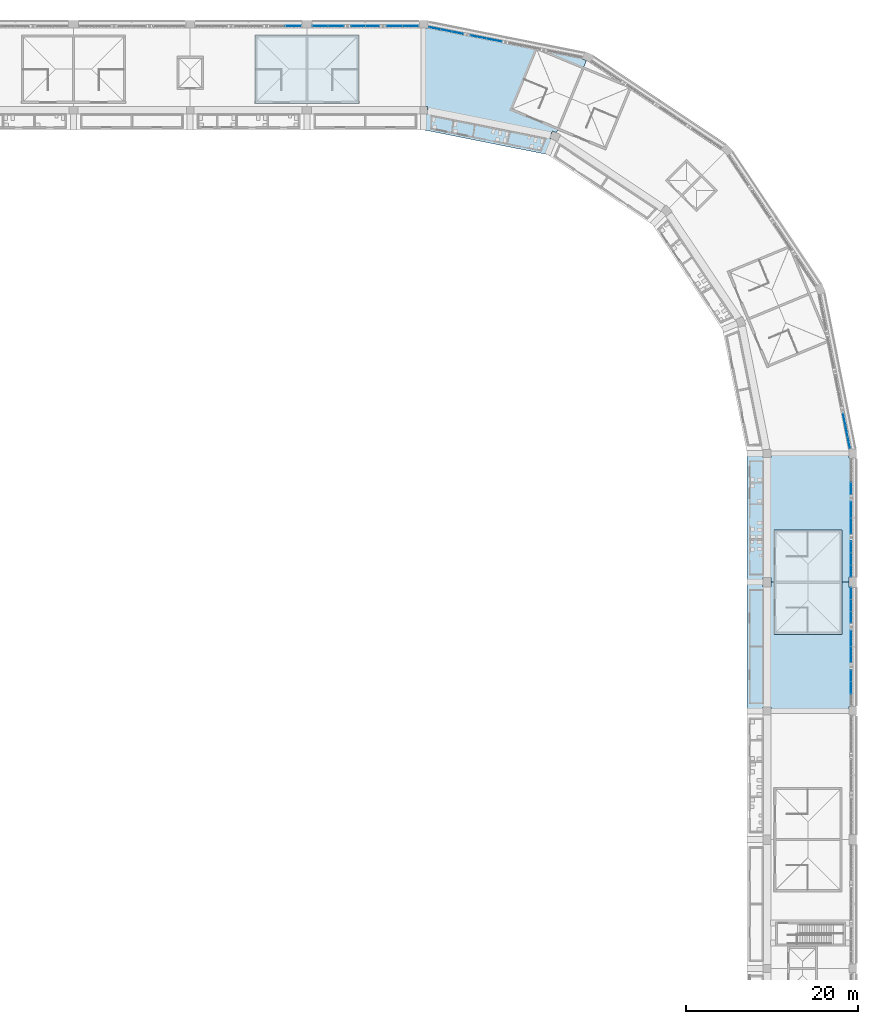
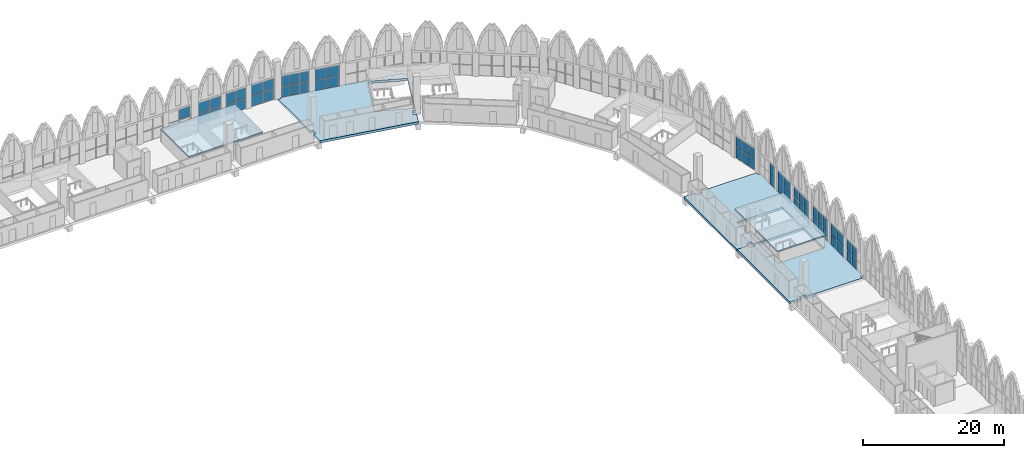
# One storey, part 60 of 130: 55 plates, 5 slabs, 13 elements without a shape of their own.
"""IFC4 building model written with IfcOpenShell, lengths in metres."""

import ifcopenshell
import ifcopenshell.guid

model = None  # the IFC model being written
_history = None  # IfcOwnerHistory: only IFC2X3 demands one
_inside = {}  # id of a spatial element -> (the spatial element, [elements in it])
_under = {}  # id of a project, library or spatial element -> (it, [spatial elements below it])
_declared = {}  # id of a project -> (the project, [libraries it declares])
_typed = {}  # id of a type object -> (the type object, [elements of that type])
_made_of = {}  # id of a material, layer set ... -> (it, [elements and type objects made of it])


def new_model(schema):
    """Start an empty IFC model of exactly this schema.

    Asked for "IFC4X3", IfcOpenShell would pick the latest addendum, in which some entities
    have other attributes; the version numbers below select the first issue.
    IFC2X3 requires an IfcOwnerHistory on every rooted entity: one is made here for all.
    """
    global model, _history
    if schema == "IFC4X3":
        model = ifcopenshell.file(schema_version=(4, 3, 0, 0))
    else:
        model = ifcopenshell.file(schema=schema)
    _inside.clear()
    _under.clear()
    _declared.clear()
    _typed.clear()
    _made_of.clear()
    _history = None
    if model.schema == "IFC2X3":
        org = make("IfcOrganization", Name="unknown")
        user = make(
            "IfcPersonAndOrganization",
            ThePerson=make("IfcPerson", FamilyName="unknown"),
            TheOrganization=org,
        )
        app = make(
            "IfcApplication",
            ApplicationDeveloper=org,
            Version="unknown",
            ApplicationFullName="unknown",
            ApplicationIdentifier="unknown",
        )
        _history = make(
            "IfcOwnerHistory",
            OwningUser=user,
            OwningApplication=app,
            ChangeAction="ADDED",
            CreationDate=0,
        )
    return model


def make(cls, **values):
    """One entity of the class cls with the attributes given. An attribute that is None is left unset."""
    return model.create_entity(
        cls, **{name: value for name, value in values.items() if value is not None}
    )


def rooted(cls, **values):
    """An entity with a GlobalId (a new one), such as an element, a storey or a relation."""
    return make(cls, GlobalId=ifcopenshell.guid.new(), OwnerHistory=_history, **values)


def si_unit(unit_type, name, prefix=None):
    """IfcSIUnit, for example si_unit("LENGTHUNIT", "METRE", prefix="MILLI")."""
    return make("IfcSIUnit", UnitType=unit_type, Prefix=prefix, Name=name)


def assignment(units):
    """IfcUnitAssignment: the units of a project."""
    return None if units is None else make("IfcUnitAssignment", Units=units)


def point(xyz):
    """IfcCartesianPoint."""
    return None if xyz is None else make("IfcCartesianPoint", Coordinates=xyz)


def direction(xyz):
    """IfcDirection."""
    return None if xyz is None else make("IfcDirection", DirectionRatios=xyz)


def frame(location, z_axis=None, x_axis=None):
    """IfcAxis2Placement3D, a coordinate frame: its origin and axes. An axis left out is left unset."""
    return make(
        "IfcAxis2Placement3D",
        Location=point(location),
        Axis=direction(z_axis),
        RefDirection=direction(x_axis),
    )


def frame_2d(location, x_axis=None):
    """IfcAxis2Placement2D, a coordinate frame in the plane: its origin and x axis."""
    return make(
        "IfcAxis2Placement2D", Location=point(location), RefDirection=direction(x_axis)
    )


def origin():
    """The frame at (0, 0, 0) with its axes left unset."""
    return frame((0.0, 0.0, 0.0))


def origin_2d():
    """The frame at (0, 0) in the plane with its x axis left unset."""
    return frame_2d((0.0, 0.0))


def place(relative_to, where):
    """IfcLocalPlacement: puts the frame where relative to a parent placement (None: the world)."""
    return make(
        "IfcLocalPlacement", PlacementRelTo=relative_to, RelativePlacement=where
    )


def context(
    kind, dimensions, precision=None, world=None, true_north=None, identifier=None
):
    """IfcGeometricRepresentationContext, for example the 3D "Model" context."""
    return make(
        "IfcGeometricRepresentationContext",
        ContextIdentifier=identifier,
        ContextType=kind,
        CoordinateSpaceDimension=dimensions,
        Precision=precision,
        WorldCoordinateSystem=world,
        TrueNorth=true_north,
    )


def subcontext(parent, identifier, kind, view, scale=None):
    """IfcGeometricRepresentationSubContext, for example "Body" below "Model"."""
    return make(
        "IfcGeometricRepresentationSubContext",
        ContextIdentifier=identifier,
        ContextType=kind,
        ParentContext=parent,
        TargetScale=scale,
        TargetView=view,
    )


def project(units=None, contexts=None):
    """IfcProject with its units and contexts."""
    return rooted(
        "IfcProject",
        Name="project",
        RepresentationContexts=contexts,
        UnitsInContext=assignment(units),
    )


def spatial(cls, under=None, at=None, **own):
    """A site, building, storey or space (cls), placed at a placement, below another one or the project."""
    s = rooted(cls, ObjectPlacement=at, **own)
    if under is not None:
        _under.setdefault(under.id(), (under, []))[1].append(s)
    return s


def polyline(points):
    """IfcPolyline through the points."""
    return make("IfcPolyline", Points=[point(p) for p in points])


def profile(cls, at=None, kind="AREA", **sizes):
    """A parametric profile (cls). Its sizes go by their IFC names, for example OverallWidth=200.0."""
    return make(cls, ProfileType=kind, Position=at, **sizes)


def rectangle(**sizes):
    """IfcRectangleProfileDef."""
    return profile("IfcRectangleProfileDef", **sizes)


def outline(outer, holes=None, kind="AREA"):
    """IfcArbitraryClosedProfileDef: a profile drawn as a closed curve; with holes, ...WithVoids."""
    if holes is None:
        return make("IfcArbitraryClosedProfileDef", ProfileType=kind, OuterCurve=outer)
    return make(
        "IfcArbitraryProfileDefWithVoids",
        ProfileType=kind,
        OuterCurve=outer,
        InnerCurves=holes,
    )


def extrude(swept, where, along, depth):
    """IfcExtrudedAreaSolid: the profile swept, set in the frame where, extruded along a direction by depth."""
    return make(
        "IfcExtrudedAreaSolid",
        SweptArea=swept,
        Position=where,
        ExtrudedDirection=direction(along),
        Depth=depth,
    )


def shape(context_of_items, identifier, shape_type, items):
    """IfcShapeRepresentation: the items that make up one representation, for example the "Body"."""
    return make(
        "IfcShapeRepresentation",
        ContextOfItems=context_of_items,
        RepresentationIdentifier=identifier,
        RepresentationType=shape_type,
        Items=items,
    )


def material(Name=None, Category=None):
    """IfcMaterial."""
    return make("IfcMaterial", Name=Name, Category=Category)


def layer(
    of_material, thickness, ventilated=None, Name=None, Category=None, Priority=None
):
    """IfcMaterialLayer: one layer of a wall or slab, of a material (None: an air gap)."""
    return make(
        "IfcMaterialLayer",
        Material=of_material,
        LayerThickness=thickness,
        IsVentilated=ventilated,
        Name=Name,
        Category=Category,
        Priority=Priority,
    )


def layer_set(layers, Name=None):
    """IfcMaterialLayerSet."""
    return make("IfcMaterialLayerSet", MaterialLayers=layers, LayerSetName=Name)


def made_of(thing, what):
    """Note that an element or type object is made of a material, layer set ...; save() writes the relation."""
    if what is not None:
        _made_of.setdefault(what.id(), (what, []))[1].append(thing)
    return thing


def type_object(cls, material=None, **own):
    """A type object (cls), such as IfcWallType, which elements share."""
    return made_of(rooted(cls, **own), material)


def element(
    cls,
    number,
    at=None,
    inside=None,
    cuts=None,
    type_object=None,
    material=None,
    context=None,
    identifier="Body",
    shape_type=None,
    held_by="IfcProductDefinitionShape",
    body=None,
    shapes=None,
    **own,
):
    """One element of the class cls, such as IfcWall. Its Tag is "e" and its number.

    at: its placement. inside: the storey or other place that contains it. cuts: it is an
    opening in that element (IfcRelVoidsElement). A single representation is given by context,
    identifier, shape_type and body (its items); several are given by shapes. held_by: the class
    of the entity that holds the representations. save() writes the other relations.
    """
    e = rooted(cls, Tag="e%d" % number, ObjectPlacement=at, **own)
    if body is not None:
        shapes = [shape(context, identifier, shape_type, body)]
    if shapes is not None:
        e.Representation = make(held_by, Representations=shapes)
    if inside is not None:
        _inside.setdefault(inside.id(), (inside, []))[1].append(e)
    if cuts is not None:
        rooted(
            "IfcRelVoidsElement", RelatingBuildingElement=cuts, RelatedOpeningElement=e
        )
    if type_object is not None:
        _typed.setdefault(type_object.id(), (type_object, []))[1].append(e)
    return made_of(e, material)


def aggregate(whole, parts):
    """IfcRelAggregates: a whole, such as a stair, and the parts it consists of."""
    return rooted("IfcRelAggregates", RelatingObject=whole, RelatedObjects=parts)


def save(model, path):
    """Write the relations noted so far, then the file.

    IfcRelAggregates (storeys below a building ...), IfcRelContainedInSpatialStructure (elements
    in a storey), IfcRelDefinesByType, IfcRelAssociatesMaterial and IfcRelDeclares: one each for
    every whole, place, type object, material and project.
    """
    for whole, parts in _under.values():
        aggregate(whole, parts)
    for where, things in _inside.values():
        rooted(
            "IfcRelContainedInSpatialStructure",
            RelatedElements=things,
            RelatingStructure=where,
        )
    for kind, things in _typed.values():
        rooted("IfcRelDefinesByType", RelatedObjects=things, RelatingType=kind)
    for what, things in _made_of.values():
        rooted("IfcRelAssociatesMaterial", RelatedObjects=things, RelatingMaterial=what)
    for by, libraries in _declared.values():
        rooted("IfcRelDeclares", RelatingContext=by, RelatedDefinitions=libraries)
    model.write(path)


model = new_model("IFC4")

# Units and contexts
model_context = context("Model", 3, precision=1e-05, world=origin(), true_north=direction((0.0, 1.0)))
body_context = subcontext(model_context, "Body", "Model", "MODEL_VIEW")
ifc_project = project(units=[si_unit("LENGTHUNIT", "METRE"), si_unit("AREAUNIT", "SQUARE_METRE"), si_unit("VOLUMEUNIT", "CUBIC_METRE"), si_unit("PLANEANGLEUNIT", "RADIAN"), si_unit("MASSUNIT", "GRAM", prefix="KILO")], contexts=[model_context])

# Site, building, storey
site_placement = place(None, origin())
site = spatial("IfcSite", under=ifc_project, at=site_placement, CompositionType="ELEMENT")
building_placement = place(site_placement, origin())
building = spatial("IfcBuilding", under=site, at=building_placement, Name="Ogive Plaza Stadium", CompositionType="ELEMENT")
storey_placement = place(building_placement, frame((0.0, 0.0, 22.5)))
storey = spatial("IfcBuildingStorey", under=building, at=storey_placement, Name="L05", CompositionType="ELEMENT", Elevation=22.5)

# Slabs
ifc_material_1 = material(Name="Concrete C40/50", Category="concrete")
ifc_layer_1 = layer(ifc_material_1, 0.199951171875)
ifc_layer_set_1 = layer_set([ifc_layer_1], Name="Concrete C40/50")
slab_type_1 = type_object("IfcSlabType", Name="Core roof slab", PredefinedType="ROOF", material=ifc_layer_set_1)
slab_1_placement = place(storey_placement, frame((0.0, 0.0, 2.10009765625)))
element("IfcSlab", 1, at=slab_1_placement, inside=storey, type_object=slab_type_1, Name="Stair core R02 roof", PredefinedType="ROOF", context=body_context, shape_type="SweptSolid", body=[
    extrude(outline(polyline([(74.800048828125, 31.425048828125), (82.760009765625, 31.425048828125), (82.760009765625, 43.574951171875), (74.800048828125, 43.574951171875), (74.800048828125, 31.425048828125)])), origin(), (0.0, 0.0, 1.0), 0.199951171875),
])
slab_2_placement = place(storey_placement, frame((0.0, 0.0, 2.10009765625)))
element("IfcSlab", 2, at=slab_2_placement, inside=storey, type_object=slab_type_1, Name="Stair core R36 roof", PredefinedType="ROOF", context=body_context, shape_type="SweptSolid", body=[
    extrude(outline(polyline([(26.47509765625, 93.300048828125), (26.47509765625, 101.260009765625), (14.324951171875, 101.260009765625), (14.324951171875, 93.300048828125), (26.47509765625, 93.300048828125)])), origin(), (0.0, 0.0, 1.0), 0.199951171875),
])

# Curtain wall, plates
ifc_material_2 = material(Name="Bronze-anodised aluminium with laminated glass", Category="aluminium")
curtain_wall_type = type_object("IfcCurtainWallType", Name="Lancet curtain wall", PredefinedType="NOTDEFINED", material=ifc_material_2)
curtain_wall_1_placement = place(storey_placement, origin())
curtain_wall_1 = element("IfcCurtainWall", 3, at=curtain_wall_1_placement, inside=storey, type_object=curtain_wall_type, Name="CURTAIN WALL B01 L05", PredefinedType="NOTDEFINED")
ifc_material_3 = material(Name="Laminated glass", Category="glass")
ifc_layer_2 = layer(ifc_material_3, 0.028076171875)
ifc_layer_set_2 = layer_set([ifc_layer_2], Name="Laminated glass panel 28")
plate_type = type_object("IfcPlateType", Name="Laminated glass panel 28", PredefinedType="CURTAIN_PANEL", material=ifc_layer_set_2)
plate_1_placement = place(storey_placement, frame((83.800048828125, 48.41259765625, 0.0498046875), z_axis=(0.0, 0.0, 1.0), x_axis=(0.0, -1.0, 0.0)))
plate_1 = element("IfcPlate", 4, at=plate_1_placement, type_object=plate_type, Name="CW-B01-L05.1 panel 3.1", PredefinedType="CURTAIN_PANEL", context=body_context, shape_type="SweptSolid", body=[
    extrude(rectangle(XDim=1.324951171875, YDim=0.028076171875, at=origin_2d()), origin(), (0.0, 0.0, 1.0), 1.824951171875),
])
plate_2_placement = place(storey_placement, frame((83.800048828125, 48.41259765625, 1.9248046875), z_axis=(0.0, 0.0, 1.0), x_axis=(0.0, -1.0, 0.0)))
plate_2 = element("IfcPlate", 5, at=plate_2_placement, type_object=plate_type, Name="CW-B01-L05.1 panel 3.2", PredefinedType="CURTAIN_PANEL", context=body_context, shape_type="SweptSolid", body=[
    extrude(rectangle(XDim=1.324951171875, YDim=0.028076171875, at=origin_2d()), origin(), (0.0, 0.0, 1.0), 1.824951171875),
])
aggregate(curtain_wall_1, [plate_1, plate_2])

curtain_wall_2_placement = place(storey_placement, origin())
curtain_wall_2 = element("IfcCurtainWall", 6, at=curtain_wall_2_placement, inside=storey, type_object=curtain_wall_type, Name="CURTAIN WALL B01 L05", PredefinedType="NOTDEFINED")
plate_3_placement = place(storey_placement, frame((83.800048828125, 45.9375, 0.0498046875), z_axis=(0.0, 0.0, 1.0), x_axis=(0.0, -1.0, 0.0)))
plate_3 = element("IfcPlate", 7, at=plate_3_placement, type_object=plate_type, Name="CW-B01-L05.2 panel 1.1", PredefinedType="CURTAIN_PANEL", context=body_context, shape_type="SweptSolid", body=[
    extrude(rectangle(XDim=1.824951171875, YDim=0.028076171875, at=origin_2d()), origin(), (0.0, 0.0, 1.0), 1.824951171875),
])
plate_4_placement = place(storey_placement, frame((83.800048828125, 45.9375, 1.9248046875), z_axis=(0.0, 0.0, 1.0), x_axis=(0.0, -1.0, 0.0)))
plate_4 = element("IfcPlate", 8, at=plate_4_placement, type_object=plate_type, Name="CW-B01-L05.2 panel 1.2", PredefinedType="CURTAIN_PANEL", context=body_context, shape_type="SweptSolid", body=[
    extrude(rectangle(XDim=1.824951171875, YDim=0.028076171875, at=origin_2d()), origin(), (0.0, 0.0, 1.0), 1.824951171875),
])
plate_5_placement = place(storey_placement, frame((83.800048828125, 44.0625, 0.0498046875), z_axis=(0.0, 0.0, 1.0), x_axis=(0.0, -1.0, 0.0)))
plate_5 = element("IfcPlate", 9, at=plate_5_placement, type_object=plate_type, Name="CW-B01-L05.2 panel 2.1", PredefinedType="CURTAIN_PANEL", context=body_context, shape_type="SweptSolid", body=[
    extrude(rectangle(XDim=1.824951171875, YDim=0.028076171875, at=origin_2d()), origin(), (0.0, 0.0, 1.0), 1.824951171875),
])
plate_6_placement = place(storey_placement, frame((83.800048828125, 44.0625, 1.9248046875), z_axis=(0.0, 0.0, 1.0), x_axis=(0.0, -1.0, 0.0)))
plate_6 = element("IfcPlate", 10, at=plate_6_placement, type_object=plate_type, Name="CW-B01-L05.2 panel 2.2", PredefinedType="CURTAIN_PANEL", context=body_context, shape_type="SweptSolid", body=[
    extrude(rectangle(XDim=1.824951171875, YDim=0.028076171875, at=origin_2d()), origin(), (0.0, 0.0, 1.0), 1.824951171875),
])
aggregate(curtain_wall_2, [plate_3, plate_4, plate_5, plate_6])

curtain_wall_3_placement = place(storey_placement, origin())
curtain_wall_3 = element("IfcCurtainWall", 11, at=curtain_wall_3_placement, inside=storey, type_object=curtain_wall_type, Name="CURTAIN WALL B01 L05", PredefinedType="NOTDEFINED")
plate_7_placement = place(storey_placement, frame((83.800048828125, 41.58740234375, 0.0498046875), z_axis=(0.0, 0.0, 1.0), x_axis=(0.0, -1.0, 0.0)))
plate_7 = element("IfcPlate", 12, at=plate_7_placement, type_object=plate_type, Name="CW-B01-L05.3 panel 1.1", PredefinedType="CURTAIN_PANEL", context=body_context, shape_type="SweptSolid", body=[
    extrude(rectangle(XDim=1.324951171875, YDim=0.028076171875, at=origin_2d()), origin(), (0.0, 0.0, 1.0), 1.824951171875),
])
plate_8_placement = place(storey_placement, frame((83.800048828125, 41.58740234375, 1.9248046875), z_axis=(0.0, 0.0, 1.0), x_axis=(0.0, -1.0, 0.0)))
plate_8 = element("IfcPlate", 13, at=plate_8_placement, type_object=plate_type, Name="CW-B01-L05.3 panel 1.2", PredefinedType="CURTAIN_PANEL", context=body_context, shape_type="SweptSolid", body=[
    extrude(rectangle(XDim=1.324951171875, YDim=0.028076171875, at=origin_2d()), origin(), (0.0, 0.0, 1.0), 1.824951171875),
])
plate_9_placement = place(storey_placement, frame((83.800048828125, 40.199951171875, 0.0498046875), z_axis=(0.0, 0.0, 1.0), x_axis=(0.0, -1.0, 0.0)))
plate_9 = element("IfcPlate", 14, at=plate_9_placement, type_object=plate_type, Name="CW-B01-L05.3 panel 2.1", PredefinedType="CURTAIN_PANEL", context=body_context, shape_type="SweptSolid", body=[
    extrude(rectangle(XDim=1.35009765625, YDim=0.028076171875, at=origin_2d()), origin(), (0.0, 0.0, 1.0), 1.824951171875),
])
plate_10_placement = place(storey_placement, frame((83.800048828125, 40.199951171875, 1.9248046875), z_axis=(0.0, 0.0, 1.0), x_axis=(0.0, -1.0, 0.0)))
plate_10 = element("IfcPlate", 15, at=plate_10_placement, type_object=plate_type, Name="CW-B01-L05.3 panel 2.2", PredefinedType="CURTAIN_PANEL", context=body_context, shape_type="SweptSolid", body=[
    extrude(rectangle(XDim=1.35009765625, YDim=0.028076171875, at=origin_2d()), origin(), (0.0, 0.0, 1.0), 1.824951171875),
])
plate_11_placement = place(storey_placement, frame((83.800048828125, 38.8125, 0.0498046875), z_axis=(0.0, 0.0, 1.0), x_axis=(0.0, -1.0, 0.0)))
plate_11 = element("IfcPlate", 16, at=plate_11_placement, type_object=plate_type, Name="CW-B01-L05.3 panel 3.1", PredefinedType="CURTAIN_PANEL", context=body_context, shape_type="SweptSolid", body=[
    extrude(rectangle(XDim=1.324951171875, YDim=0.028076171875, at=origin_2d()), origin(), (0.0, 0.0, 1.0), 1.824951171875),
])
plate_12_placement = place(storey_placement, frame((83.800048828125, 38.8125, 1.9248046875), z_axis=(0.0, 0.0, 1.0), x_axis=(0.0, -1.0, 0.0)))
plate_12 = element("IfcPlate", 17, at=plate_12_placement, type_object=plate_type, Name="CW-B01-L05.3 panel 3.2", PredefinedType="CURTAIN_PANEL", context=body_context, shape_type="SweptSolid", body=[
    extrude(rectangle(XDim=1.324951171875, YDim=0.028076171875, at=origin_2d()), origin(), (0.0, 0.0, 1.0), 1.824951171875),
])
aggregate(curtain_wall_3, [plate_7, plate_8, plate_9, plate_10, plate_11, plate_12])

curtain_wall_4_placement = place(storey_placement, origin())
curtain_wall_4 = element("IfcCurtainWall", 18, at=curtain_wall_4_placement, inside=storey, type_object=curtain_wall_type, Name="CURTAIN WALL B02 L05", PredefinedType="NOTDEFINED")
plate_13_placement = place(storey_placement, frame((83.800048828125, 36.1875, 0.0498046875), z_axis=(0.0, 0.0, 1.0), x_axis=(0.0, -1.0, 0.0)))
plate_13 = element("IfcPlate", 19, at=plate_13_placement, type_object=plate_type, Name="CW-B02-L05.1 panel 1.1", PredefinedType="CURTAIN_PANEL", context=body_context, shape_type="SweptSolid", body=[
    extrude(rectangle(XDim=1.324951171875, YDim=0.028076171875, at=origin_2d()), origin(), (0.0, 0.0, 1.0), 1.824951171875),
])
plate_14_placement = place(storey_placement, frame((83.800048828125, 36.1875, 1.9248046875), z_axis=(0.0, 0.0, 1.0), x_axis=(0.0, -1.0, 0.0)))
plate_14 = element("IfcPlate", 20, at=plate_14_placement, type_object=plate_type, Name="CW-B02-L05.1 panel 1.2", PredefinedType="CURTAIN_PANEL", context=body_context, shape_type="SweptSolid", body=[
    extrude(rectangle(XDim=1.324951171875, YDim=0.028076171875, at=origin_2d()), origin(), (0.0, 0.0, 1.0), 1.824951171875),
])
plate_15_placement = place(storey_placement, frame((83.800048828125, 34.800048828125, 0.0498046875), z_axis=(0.0, 0.0, 1.0), x_axis=(0.0, -1.0, 0.0)))
plate_15 = element("IfcPlate", 21, at=plate_15_placement, type_object=plate_type, Name="CW-B02-L05.1 panel 2.1", PredefinedType="CURTAIN_PANEL", context=body_context, shape_type="SweptSolid", body=[
    extrude(rectangle(XDim=1.35009765625, YDim=0.028076171875, at=origin_2d()), origin(), (0.0, 0.0, 1.0), 1.824951171875),
])
plate_16_placement = place(storey_placement, frame((83.800048828125, 34.800048828125, 1.9248046875), z_axis=(0.0, 0.0, 1.0), x_axis=(0.0, -1.0, 0.0)))
plate_16 = element("IfcPlate", 22, at=plate_16_placement, type_object=plate_type, Name="CW-B02-L05.1 panel 2.2", PredefinedType="CURTAIN_PANEL", context=body_context, shape_type="SweptSolid", body=[
    extrude(rectangle(XDim=1.35009765625, YDim=0.028076171875, at=origin_2d()), origin(), (0.0, 0.0, 1.0), 1.824951171875),
])
plate_17_placement = place(storey_placement, frame((83.800048828125, 33.41259765625, 0.0498046875), z_axis=(0.0, 0.0, 1.0), x_axis=(0.0, -1.0, 0.0)))
plate_17 = element("IfcPlate", 23, at=plate_17_placement, type_object=plate_type, Name="CW-B02-L05.1 panel 3.1", PredefinedType="CURTAIN_PANEL", context=body_context, shape_type="SweptSolid", body=[
    extrude(rectangle(XDim=1.324951171875, YDim=0.028076171875, at=origin_2d()), origin(), (0.0, 0.0, 1.0), 1.824951171875),
])
plate_18_placement = place(storey_placement, frame((83.800048828125, 33.41259765625, 1.9248046875), z_axis=(0.0, 0.0, 1.0), x_axis=(0.0, -1.0, 0.0)))
plate_18 = element("IfcPlate", 24, at=plate_18_placement, type_object=plate_type, Name="CW-B02-L05.1 panel 3.2", PredefinedType="CURTAIN_PANEL", context=body_context, shape_type="SweptSolid", body=[
    extrude(rectangle(XDim=1.324951171875, YDim=0.028076171875, at=origin_2d()), origin(), (0.0, 0.0, 1.0), 1.824951171875),
])
aggregate(curtain_wall_4, [plate_13, plate_14, plate_15, plate_16, plate_17, plate_18])

curtain_wall_5_placement = place(storey_placement, origin())
curtain_wall_5 = element("IfcCurtainWall", 25, at=curtain_wall_5_placement, inside=storey, type_object=curtain_wall_type, Name="CURTAIN WALL B02 L05", PredefinedType="NOTDEFINED")
plate_19_placement = place(storey_placement, frame((83.800048828125, 30.9375, 0.0498046875), z_axis=(0.0, 0.0, 1.0), x_axis=(0.0, -1.0, 0.0)))
plate_19 = element("IfcPlate", 26, at=plate_19_placement, type_object=plate_type, Name="CW-B02-L05.2 panel 1.1", PredefinedType="CURTAIN_PANEL", context=body_context, shape_type="SweptSolid", body=[
    extrude(rectangle(XDim=1.824951171875, YDim=0.028076171875, at=origin_2d()), origin(), (0.0, 0.0, 1.0), 1.824951171875),
])
plate_20_placement = place(storey_placement, frame((83.800048828125, 30.9375, 1.9248046875), z_axis=(0.0, 0.0, 1.0), x_axis=(0.0, -1.0, 0.0)))
plate_20 = element("IfcPlate", 27, at=plate_20_placement, type_object=plate_type, Name="CW-B02-L05.2 panel 1.2", PredefinedType="CURTAIN_PANEL", context=body_context, shape_type="SweptSolid", body=[
    extrude(rectangle(XDim=1.824951171875, YDim=0.028076171875, at=origin_2d()), origin(), (0.0, 0.0, 1.0), 1.824951171875),
])
plate_21_placement = place(storey_placement, frame((83.800048828125, 29.0625, 0.0498046875), z_axis=(0.0, 0.0, 1.0), x_axis=(0.0, -1.0, 0.0)))
plate_21 = element("IfcPlate", 28, at=plate_21_placement, type_object=plate_type, Name="CW-B02-L05.2 panel 2.1", PredefinedType="CURTAIN_PANEL", context=body_context, shape_type="SweptSolid", body=[
    extrude(rectangle(XDim=1.824951171875, YDim=0.028076171875, at=origin_2d()), origin(), (0.0, 0.0, 1.0), 1.824951171875),
])
plate_22_placement = place(storey_placement, frame((83.800048828125, 29.0625, 1.9248046875), z_axis=(0.0, 0.0, 1.0), x_axis=(0.0, -1.0, 0.0)))
plate_22 = element("IfcPlate", 29, at=plate_22_placement, type_object=plate_type, Name="CW-B02-L05.2 panel 2.2", PredefinedType="CURTAIN_PANEL", context=body_context, shape_type="SweptSolid", body=[
    extrude(rectangle(XDim=1.824951171875, YDim=0.028076171875, at=origin_2d()), origin(), (0.0, 0.0, 1.0), 1.824951171875),
])
aggregate(curtain_wall_5, [plate_19, plate_20, plate_21, plate_22])

curtain_wall_6_placement = place(storey_placement, origin())
curtain_wall_6 = element("IfcCurtainWall", 30, at=curtain_wall_6_placement, inside=storey, type_object=curtain_wall_type, Name="CURTAIN WALL B02 L05", PredefinedType="NOTDEFINED")
plate_23_placement = place(storey_placement, frame((83.800048828125, 26.58740234375, 0.0498046875), z_axis=(0.0, 0.0, 1.0), x_axis=(0.0, -1.0, 0.0)))
plate_23 = element("IfcPlate", 31, at=plate_23_placement, type_object=plate_type, Name="CW-B02-L05.3 panel 1.1", PredefinedType="CURTAIN_PANEL", context=body_context, shape_type="SweptSolid", body=[
    extrude(rectangle(XDim=1.324951171875, YDim=0.028076171875, at=origin_2d()), origin(), (0.0, 0.0, 1.0), 1.824951171875),
])
plate_24_placement = place(storey_placement, frame((83.800048828125, 26.58740234375, 1.9248046875), z_axis=(0.0, 0.0, 1.0), x_axis=(0.0, -1.0, 0.0)))
plate_24 = element("IfcPlate", 32, at=plate_24_placement, type_object=plate_type, Name="CW-B02-L05.3 panel 1.2", PredefinedType="CURTAIN_PANEL", context=body_context, shape_type="SweptSolid", body=[
    extrude(rectangle(XDim=1.324951171875, YDim=0.028076171875, at=origin_2d()), origin(), (0.0, 0.0, 1.0), 1.824951171875),
])
plate_25_placement = place(storey_placement, frame((83.800048828125, 25.199951171875, 0.0498046875), z_axis=(0.0, 0.0, 1.0), x_axis=(0.0, -1.0, 0.0)))
plate_25 = element("IfcPlate", 33, at=plate_25_placement, type_object=plate_type, Name="CW-B02-L05.3 panel 2.1", PredefinedType="CURTAIN_PANEL", context=body_context, shape_type="SweptSolid", body=[
    extrude(rectangle(XDim=1.35009765625, YDim=0.028076171875, at=origin_2d()), origin(), (0.0, 0.0, 1.0), 1.824951171875),
])
plate_26_placement = place(storey_placement, frame((83.800048828125, 25.199951171875, 1.9248046875), z_axis=(0.0, 0.0, 1.0), x_axis=(0.0, -1.0, 0.0)))
plate_26 = element("IfcPlate", 34, at=plate_26_placement, type_object=plate_type, Name="CW-B02-L05.3 panel 2.2", PredefinedType="CURTAIN_PANEL", context=body_context, shape_type="SweptSolid", body=[
    extrude(rectangle(XDim=1.35009765625, YDim=0.028076171875, at=origin_2d()), origin(), (0.0, 0.0, 1.0), 1.824951171875),
])
aggregate(curtain_wall_6, [plate_23, plate_24, plate_25, plate_26])

# Curtain wall, plate
curtain_wall_7_placement = place(storey_placement, origin())
curtain_wall_7 = element("IfcCurtainWall", 35, at=curtain_wall_7_placement, inside=storey, type_object=curtain_wall_type, Name="CURTAIN WALL B35 L05", PredefinedType="NOTDEFINED")
plate_27_placement = place(storey_placement, frame((18.854248046875, 102.300048828125, 1.9248046875), z_axis=(0.0, 0.0, 1.0), x_axis=(1.0, 0.0, 0.0)))
plate_27 = element("IfcPlate", 36, at=plate_27_placement, type_object=plate_type, Name="CW-B35-L05.3 panel 2.2", PredefinedType="CURTAIN_PANEL", context=body_context, shape_type="SweptSolid", body=[
    extrude(rectangle(XDim=1.791748046875, YDim=0.028076171875, at=origin_2d()), origin(), (0.0, 0.0, 1.0), 1.824951171875),
])
aggregate(curtain_wall_7, [plate_27])

# Curtain wall, plates
curtain_wall_8_placement = place(storey_placement, origin())
curtain_wall_8 = element("IfcCurtainWall", 37, at=curtain_wall_8_placement, inside=storey, type_object=curtain_wall_type, Name="CURTAIN WALL B36 L05", PredefinedType="NOTDEFINED")
plate_28_placement = place(storey_placement, frame((21.94580078125, 102.300048828125, 0.0498046875), z_axis=(0.0, 0.0, 1.0), x_axis=(1.0, 0.0, 0.0)))
plate_28 = element("IfcPlate", 38, at=plate_28_placement, type_object=plate_type, Name="CW-B36-L05.1 panel 1.1", PredefinedType="CURTAIN_PANEL", context=body_context, shape_type="SweptSolid", body=[
    extrude(rectangle(XDim=1.791748046875, YDim=0.028076171875, at=origin_2d()), origin(), (0.0, 0.0, 1.0), 1.824951171875),
])
plate_29_placement = place(storey_placement, frame((21.94580078125, 102.300048828125, 1.9248046875), z_axis=(0.0, 0.0, 1.0), x_axis=(1.0, 0.0, 0.0)))
plate_29 = element("IfcPlate", 39, at=plate_29_placement, type_object=plate_type, Name="CW-B36-L05.1 panel 1.2", PredefinedType="CURTAIN_PANEL", context=body_context, shape_type="SweptSolid", body=[
    extrude(rectangle(XDim=1.791748046875, YDim=0.028076171875, at=origin_2d()), origin(), (0.0, 0.0, 1.0), 1.824951171875),
])
plate_30_placement = place(storey_placement, frame((23.78759765625, 102.300048828125, 0.0498046875), z_axis=(0.0, 0.0, 1.0), x_axis=(1.0, 0.0, 0.0)))
plate_30 = element("IfcPlate", 40, at=plate_30_placement, type_object=plate_type, Name="CW-B36-L05.1 panel 2.1", PredefinedType="CURTAIN_PANEL", context=body_context, shape_type="SweptSolid", body=[
    extrude(rectangle(XDim=1.791748046875, YDim=0.028076171875, at=origin_2d()), origin(), (0.0, 0.0, 1.0), 1.824951171875),
])
plate_31_placement = place(storey_placement, frame((23.78759765625, 102.300048828125, 1.9248046875), z_axis=(0.0, 0.0, 1.0), x_axis=(1.0, 0.0, 0.0)))
plate_31 = element("IfcPlate", 41, at=plate_31_placement, type_object=plate_type, Name="CW-B36-L05.1 panel 2.2", PredefinedType="CURTAIN_PANEL", context=body_context, shape_type="SweptSolid", body=[
    extrude(rectangle(XDim=1.791748046875, YDim=0.028076171875, at=origin_2d()), origin(), (0.0, 0.0, 1.0), 1.824951171875),
])
aggregate(curtain_wall_8, [plate_28, plate_29, plate_30, plate_31])

curtain_wall_9_placement = place(storey_placement, origin())
curtain_wall_9 = element("IfcCurtainWall", 42, at=curtain_wall_9_placement, inside=storey, type_object=curtain_wall_type, Name="CURTAIN WALL B36 L05", PredefinedType="NOTDEFINED")
plate_32_placement = place(storey_placement, frame((26.379150390625, 102.300048828125, 0.0498046875), z_axis=(0.0, 0.0, 1.0), x_axis=(1.0, 0.0, 0.0)))
plate_32 = element("IfcPlate", 43, at=plate_32_placement, type_object=plate_type, Name="CW-B36-L05.2 panel 1.1", PredefinedType="CURTAIN_PANEL", context=body_context, shape_type="SweptSolid", body=[
    extrude(rectangle(XDim=1.591552734375, YDim=0.028076171875, at=origin_2d()), origin(), (0.0, 0.0, 1.0), 1.824951171875),
])
plate_33_placement = place(storey_placement, frame((26.379150390625, 102.300048828125, 1.9248046875), z_axis=(0.0, 0.0, 1.0), x_axis=(1.0, 0.0, 0.0)))
plate_33 = element("IfcPlate", 44, at=plate_33_placement, type_object=plate_type, Name="CW-B36-L05.2 panel 1.2", PredefinedType="CURTAIN_PANEL", context=body_context, shape_type="SweptSolid", body=[
    extrude(rectangle(XDim=1.591552734375, YDim=0.028076171875, at=origin_2d()), origin(), (0.0, 0.0, 1.0), 1.824951171875),
])
plate_34_placement = place(storey_placement, frame((28.020751953125, 102.300048828125, 0.0498046875), z_axis=(0.0, 0.0, 1.0), x_axis=(1.0, 0.0, 0.0)))
plate_34 = element("IfcPlate", 45, at=plate_34_placement, type_object=plate_type, Name="CW-B36-L05.2 panel 2.1", PredefinedType="CURTAIN_PANEL", context=body_context, shape_type="SweptSolid", body=[
    extrude(rectangle(XDim=1.591552734375, YDim=0.028076171875, at=origin_2d()), origin(), (0.0, 0.0, 1.0), 1.824951171875),
])
plate_35_placement = place(storey_placement, frame((28.020751953125, 102.300048828125, 1.9248046875), z_axis=(0.0, 0.0, 1.0), x_axis=(1.0, 0.0, 0.0)))
plate_35 = element("IfcPlate", 46, at=plate_35_placement, type_object=plate_type, Name="CW-B36-L05.2 panel 2.2", PredefinedType="CURTAIN_PANEL", context=body_context, shape_type="SweptSolid", body=[
    extrude(rectangle(XDim=1.591552734375, YDim=0.028076171875, at=origin_2d()), origin(), (0.0, 0.0, 1.0), 1.824951171875),
])
aggregate(curtain_wall_9, [plate_32, plate_33, plate_34, plate_35])

curtain_wall_10_placement = place(storey_placement, origin())
curtain_wall_10 = element("IfcCurtainWall", 47, at=curtain_wall_10_placement, inside=storey, type_object=curtain_wall_type, Name="CURTAIN WALL B36 L05", PredefinedType="NOTDEFINED")
plate_36_placement = place(storey_placement, frame((30.612548828125, 102.300048828125, 0.0498046875), z_axis=(0.0, 0.0, 1.0), x_axis=(1.0, 0.0, 0.0)))
plate_36 = element("IfcPlate", 48, at=plate_36_placement, type_object=plate_type, Name="CW-B36-L05.3 panel 1.1", PredefinedType="CURTAIN_PANEL", context=body_context, shape_type="SweptSolid", body=[
    extrude(rectangle(XDim=1.791748046875, YDim=0.028076171875, at=origin_2d()), origin(), (0.0, 0.0, 1.0), 1.824951171875),
])
plate_37_placement = place(storey_placement, frame((30.612548828125, 102.300048828125, 1.9248046875), z_axis=(0.0, 0.0, 1.0), x_axis=(1.0, 0.0, 0.0)))
plate_37 = element("IfcPlate", 49, at=plate_37_placement, type_object=plate_type, Name="CW-B36-L05.3 panel 1.2", PredefinedType="CURTAIN_PANEL", context=body_context, shape_type="SweptSolid", body=[
    extrude(rectangle(XDim=1.791748046875, YDim=0.028076171875, at=origin_2d()), origin(), (0.0, 0.0, 1.0), 1.824951171875),
])
plate_38_placement = place(storey_placement, frame((32.4541015625, 102.300048828125, 0.0498046875), z_axis=(0.0, 0.0, 1.0), x_axis=(1.0, 0.0, 0.0)))
plate_38 = element("IfcPlate", 50, at=plate_38_placement, type_object=plate_type, Name="CW-B36-L05.3 panel 2.1", PredefinedType="CURTAIN_PANEL", context=body_context, shape_type="SweptSolid", body=[
    extrude(rectangle(XDim=1.791748046875, YDim=0.028076171875, at=origin_2d()), origin(), (0.0, 0.0, 1.0), 1.824951171875),
])
plate_39_placement = place(storey_placement, frame((32.4541015625, 102.300048828125, 1.9248046875), z_axis=(0.0, 0.0, 1.0), x_axis=(1.0, 0.0, 0.0)))
plate_39 = element("IfcPlate", 51, at=plate_39_placement, type_object=plate_type, Name="CW-B36-L05.3 panel 2.2", PredefinedType="CURTAIN_PANEL", context=body_context, shape_type="SweptSolid", body=[
    extrude(rectangle(XDim=1.791748046875, YDim=0.028076171875, at=origin_2d()), origin(), (0.0, 0.0, 1.0), 1.824951171875),
])
aggregate(curtain_wall_10, [plate_36, plate_37, plate_38, plate_39])

curtain_wall_11_placement = place(storey_placement, origin())
curtain_wall_11 = element("IfcCurtainWall", 52, at=curtain_wall_11_placement, inside=storey, type_object=curtain_wall_type, Name="CURTAIN WALL B37 L05", PredefinedType="NOTDEFINED")
plate_40_placement = place(storey_placement, frame((35.28076171875, 102.041259765625, 0.0498046875), z_axis=(0.0, 0.0, 1.0), x_axis=(0.980785280413, -0.195090321965, 0.0)))
plate_40 = element("IfcPlate", 53, at=plate_40_placement, type_object=plate_type, Name="CW-B37-L05.1 panel 1.1", PredefinedType="CURTAIN_PANEL", context=body_context, shape_type="SweptSolid", body=[
    extrude(rectangle(XDim=1.310791015625, YDim=0.028076171875, at=origin_2d()), origin(), (0.0, 0.0, 1.0), 1.824951171875),
])
plate_41_placement = place(storey_placement, frame((35.28076171875, 102.041259765625, 1.9248046875), z_axis=(0.0, 0.0, 1.0), x_axis=(0.980785280413, -0.195090321965, 0.0)))
plate_41 = element("IfcPlate", 54, at=plate_41_placement, type_object=plate_type, Name="CW-B37-L05.1 panel 1.2", PredefinedType="CURTAIN_PANEL", context=body_context, shape_type="SweptSolid", body=[
    extrude(rectangle(XDim=1.310791015625, YDim=0.028076171875, at=origin_2d()), origin(), (0.0, 0.0, 1.0), 1.824951171875),
])
plate_42_placement = place(storey_placement, frame((36.627685546875, 101.7734375, 0.0498046875), z_axis=(0.0, 0.0, 1.0), x_axis=(0.980785280413, -0.195090321965, 0.0)))
plate_42 = element("IfcPlate", 55, at=plate_42_placement, type_object=plate_type, Name="CW-B37-L05.1 panel 2.1", PredefinedType="CURTAIN_PANEL", context=body_context, shape_type="SweptSolid", body=[
    extrude(rectangle(XDim=1.335693359375, YDim=0.028076171875, at=origin_2d()), origin(), (0.0, 0.0, 1.0), 1.824951171875),
])
plate_43_placement = place(storey_placement, frame((36.627685546875, 101.7734375, 1.9248046875), z_axis=(0.0, 0.0, 1.0), x_axis=(0.980785280413, -0.195090321965, 0.0)))
plate_43 = element("IfcPlate", 56, at=plate_43_placement, type_object=plate_type, Name="CW-B37-L05.1 panel 2.2", PredefinedType="CURTAIN_PANEL", context=body_context, shape_type="SweptSolid", body=[
    extrude(rectangle(XDim=1.335693359375, YDim=0.028076171875, at=origin_2d()), origin(), (0.0, 0.0, 1.0), 1.824951171875),
])
plate_44_placement = place(storey_placement, frame((37.974365234375, 101.505615234375, 0.0498046875), z_axis=(0.0, 0.0, 1.0), x_axis=(0.980785280413, -0.195090321965, 0.0)))
plate_44 = element("IfcPlate", 57, at=plate_44_placement, type_object=plate_type, Name="CW-B37-L05.1 panel 3.1", PredefinedType="CURTAIN_PANEL", context=body_context, shape_type="SweptSolid", body=[
    extrude(rectangle(XDim=1.310791015625, YDim=0.028076171875, at=origin_2d()), origin(), (0.0, 0.0, 1.0), 1.824951171875),
])
plate_45_placement = place(storey_placement, frame((37.974365234375, 101.505615234375, 1.9248046875), z_axis=(0.0, 0.0, 1.0), x_axis=(0.980785280413, -0.195090321965, 0.0)))
plate_45 = element("IfcPlate", 58, at=plate_45_placement, type_object=plate_type, Name="CW-B37-L05.1 panel 3.2", PredefinedType="CURTAIN_PANEL", context=body_context, shape_type="SweptSolid", body=[
    extrude(rectangle(XDim=1.310791015625, YDim=0.028076171875, at=origin_2d()), origin(), (0.0, 0.0, 1.0), 1.824951171875),
])
aggregate(curtain_wall_11, [plate_40, plate_41, plate_42, plate_43, plate_44, plate_45])

curtain_wall_12_placement = place(storey_placement, origin())
curtain_wall_12 = element("IfcCurtainWall", 59, at=curtain_wall_12_placement, inside=storey, type_object=curtain_wall_type, Name="CURTAIN WALL B37 L05", PredefinedType="NOTDEFINED")
plate_46_placement = place(storey_placement, frame((40.38427734375, 101.026123046875, 0.0498046875), z_axis=(0.0, 0.0, 1.0), x_axis=(0.980785280427, -0.195090321896, 0.0)))
plate_46 = element("IfcPlate", 60, at=plate_46_placement, type_object=plate_type, Name="CW-B37-L05.2 panel 1.1", PredefinedType="CURTAIN_PANEL", context=body_context, shape_type="SweptSolid", body=[
    extrude(rectangle(XDim=1.803466796875, YDim=0.028076171875, at=origin_2d()), origin(), (0.0, 0.0, 1.0), 1.824951171875),
])
plate_47_placement = place(storey_placement, frame((40.38427734375, 101.026123046875, 1.9248046875), z_axis=(0.0, 0.0, 1.0), x_axis=(0.980785280427, -0.195090321896, 0.0)))
plate_47 = element("IfcPlate", 61, at=plate_47_placement, type_object=plate_type, Name="CW-B37-L05.2 panel 1.2", PredefinedType="CURTAIN_PANEL", context=body_context, shape_type="SweptSolid", body=[
    extrude(rectangle(XDim=1.803466796875, YDim=0.028076171875, at=origin_2d()), origin(), (0.0, 0.0, 1.0), 1.824951171875),
])
plate_48_placement = place(storey_placement, frame((42.2021484375, 100.66455078125, 0.0498046875), z_axis=(0.0, 0.0, 1.0), x_axis=(0.980785280427, -0.195090321896, 0.0)))
plate_48 = element("IfcPlate", 62, at=plate_48_placement, type_object=plate_type, Name="CW-B37-L05.2 panel 2.1", PredefinedType="CURTAIN_PANEL", context=body_context, shape_type="SweptSolid", body=[
    extrude(rectangle(XDim=1.803466796875, YDim=0.028076171875, at=origin_2d()), origin(), (0.0, 0.0, 1.0), 1.824951171875),
])
plate_49_placement = place(storey_placement, frame((42.2021484375, 100.66455078125, 1.9248046875), z_axis=(0.0, 0.0, 1.0), x_axis=(0.980785280427, -0.195090321896, 0.0)))
plate_49 = element("IfcPlate", 63, at=plate_49_placement, type_object=plate_type, Name="CW-B37-L05.2 panel 2.2", PredefinedType="CURTAIN_PANEL", context=body_context, shape_type="SweptSolid", body=[
    extrude(rectangle(XDim=1.803466796875, YDim=0.028076171875, at=origin_2d()), origin(), (0.0, 0.0, 1.0), 1.824951171875),
])
aggregate(curtain_wall_12, [plate_46, plate_47, plate_48, plate_49])

curtain_wall_13_placement = place(storey_placement, origin())
curtain_wall_13 = element("IfcCurtainWall", 64, at=curtain_wall_13_placement, inside=storey, type_object=curtain_wall_type, Name="CURTAIN WALL B40 L05", PredefinedType="NOTDEFINED")
plate_50_placement = place(storey_placement, frame((83.005615234375, 56.474365234375, 0.0498046875), z_axis=(0.0, 0.0, 1.0), x_axis=(0.195090321965, -0.980785280413, 0.0)))
plate_50 = element("IfcPlate", 65, at=plate_50_placement, type_object=plate_type, Name="CW-B40-L05.4 panel 1.1", PredefinedType="CURTAIN_PANEL", context=body_context, shape_type="SweptSolid", body=[
    extrude(rectangle(XDim=1.310791015625, YDim=0.028076171875, at=origin_2d()), origin(), (0.0, 0.0, 1.0), 1.824951171875),
])
plate_51_placement = place(storey_placement, frame((83.005615234375, 56.474365234375, 1.9248046875), z_axis=(0.0, 0.0, 1.0), x_axis=(0.195090321965, -0.980785280413, 0.0)))
plate_51 = element("IfcPlate", 66, at=plate_51_placement, type_object=plate_type, Name="CW-B40-L05.4 panel 1.2", PredefinedType="CURTAIN_PANEL", context=body_context, shape_type="SweptSolid", body=[
    extrude(rectangle(XDim=1.310791015625, YDim=0.028076171875, at=origin_2d()), origin(), (0.0, 0.0, 1.0), 1.824951171875),
])
plate_52_placement = place(storey_placement, frame((83.2734375, 55.127685546875, 0.0498046875), z_axis=(0.0, 0.0, 1.0), x_axis=(0.195090321965, -0.980785280413, 0.0)))
plate_52 = element("IfcPlate", 67, at=plate_52_placement, type_object=plate_type, Name="CW-B40-L05.4 panel 2.1", PredefinedType="CURTAIN_PANEL", context=body_context, shape_type="SweptSolid", body=[
    extrude(rectangle(XDim=1.335693359375, YDim=0.028076171875, at=origin_2d()), origin(), (0.0, 0.0, 1.0), 1.824951171875),
])
plate_53_placement = place(storey_placement, frame((83.2734375, 55.127685546875, 1.9248046875), z_axis=(0.0, 0.0, 1.0), x_axis=(0.195090321965, -0.980785280413, 0.0)))
plate_53 = element("IfcPlate", 68, at=plate_53_placement, type_object=plate_type, Name="CW-B40-L05.4 panel 2.2", PredefinedType="CURTAIN_PANEL", context=body_context, shape_type="SweptSolid", body=[
    extrude(rectangle(XDim=1.335693359375, YDim=0.028076171875, at=origin_2d()), origin(), (0.0, 0.0, 1.0), 1.824951171875),
])
plate_54_placement = place(storey_placement, frame((83.541259765625, 53.78076171875, 0.0498046875), z_axis=(0.0, 0.0, 1.0), x_axis=(0.195090321965, -0.980785280413, 0.0)))
plate_54 = element("IfcPlate", 69, at=plate_54_placement, type_object=plate_type, Name="CW-B40-L05.4 panel 3.1", PredefinedType="CURTAIN_PANEL", context=body_context, shape_type="SweptSolid", body=[
    extrude(rectangle(XDim=1.310791015625, YDim=0.028076171875, at=origin_2d()), origin(), (0.0, 0.0, 1.0), 1.824951171875),
])
plate_55_placement = place(storey_placement, frame((83.541259765625, 53.78076171875, 1.9248046875), z_axis=(0.0, 0.0, 1.0), x_axis=(0.195090321965, -0.980785280413, 0.0)))
plate_55 = element("IfcPlate", 70, at=plate_55_placement, type_object=plate_type, Name="CW-B40-L05.4 panel 3.2", PredefinedType="CURTAIN_PANEL", context=body_context, shape_type="SweptSolid", body=[
    extrude(rectangle(XDim=1.310791015625, YDim=0.028076171875, at=origin_2d()), origin(), (0.0, 0.0, 1.0), 1.824951171875),
])
aggregate(curtain_wall_13, [plate_50, plate_51, plate_52, plate_53, plate_54, plate_55])

# Slabs
ifc_material_4 = material(Name="Concrete C40/50", Category="concrete")
ifc_layer_3 = layer(ifc_material_4, 0.409912109375)
ifc_layer_set_3 = layer_set([ifc_layer_3], Name="Concrete C40/50")
slab_type_2 = type_object("IfcSlabType", Name="RC floor slab 410", PredefinedType="FLOOR", material=ifc_layer_set_3)
slab_3_placement = place(storey_placement, frame((0.0, 0.0, -0.409912109375)))
element("IfcSlab", 71, at=slab_3_placement, inside=storey, type_object=slab_type_2, Name="Floor slab L05 B01", PredefinedType="FLOOR", context=body_context, shape_type="SweptSolid", body=[
    extrude(outline(polyline([(73.550048828125, 37.5), (73.550048828125, 38.050048828125), (74.449951171875, 38.050048828125), (74.449951171875, 37.5), (83.550048828125, 37.5), (83.550048828125, 38.10009765625), (84.0, 38.10009765625), (84.0, 52.0), (83.550048828125, 52.0), (83.550048828125, 52.5), (74.449951171875, 52.5), (74.449951171875, 52.050048828125), (73.550048828125, 52.050048828125), (73.550048828125, 52.5), (71.699951171875, 52.5), (71.699951171875, 37.5), (73.550048828125, 37.5)]), holes=[polyline([(75.050048828125, 43.324951171875), (75.050048828125, 37.625), (82.510009765625, 37.625), (82.510009765625, 43.324951171875), (75.050048828125, 43.324951171875)])]), origin(), (0.0, 0.0, 1.0), 0.409912109375),
])
slab_4_placement = place(storey_placement, frame((0.0, 0.0, -0.409912109375)))
element("IfcSlab", 72, at=slab_4_placement, inside=storey, type_object=slab_type_2, Name="Floor slab L05 B02", PredefinedType="FLOOR", context=body_context, shape_type="SweptSolid", body=[
    extrude(outline(polyline([(73.550048828125, 22.5), (73.550048828125, 22.949951171875), (74.449951171875, 22.949951171875), (74.449951171875, 22.5), (83.550048828125, 22.5), (83.550048828125, 23.0), (84.0, 23.0), (84.0, 36.89990234375), (83.550048828125, 36.89990234375), (83.550048828125, 37.5), (74.449951171875, 37.5), (74.449951171875, 36.949951171875), (73.550048828125, 36.949951171875), (73.550048828125, 37.5), (71.699951171875, 37.5), (71.699951171875, 22.5), (73.550048828125, 22.5)]), holes=[polyline([(75.050048828125, 37.375), (75.050048828125, 31.675048828125), (82.510009765625, 31.675048828125), (82.510009765625, 37.375), (75.050048828125, 37.375)])]), origin(), (0.0, 0.0, 1.0), 0.409912109375),
])
slab_5_placement = place(storey_placement, frame((0.0, 0.0, -0.409912109375)))
element("IfcSlab", 73, at=slab_5_placement, inside=storey, type_object=slab_type_2, Name="Floor slab L05 B37", PredefinedType="FLOOR", context=body_context, shape_type="SweptSolid", body=[
    extrude(outline(polyline([(49.135009765625, 89.03955078125), (48.673095703125, 89.230712890625), (49.017578125, 90.062255859375), (49.4794921875, 89.870849609375), (52.9619140625, 98.2783203125), (52.453857421875, 98.48876953125), (52.584228515625, 98.803466796875), (34.5, 102.400634765625), (34.5, 102.050048828125), (34.0, 102.050048828125), (34.0, 92.949951171875), (34.449951171875, 92.949951171875), (34.449951171875, 92.050048828125), (34.0, 92.050048828125), (34.0, 90.199951171875), (48.42724609375, 87.330322265625), (49.135009765625, 89.03955078125)]), holes=[polyline([(44.32763671875, 92.654296875), (49.59375, 90.47314453125), (52.448486328125, 97.365234375), (47.182373046875, 99.546630859375), (44.32763671875, 92.654296875)])]), origin(), (0.0, 0.0, 1.0), 0.409912109375),
])

save(model, "model.ifc")
